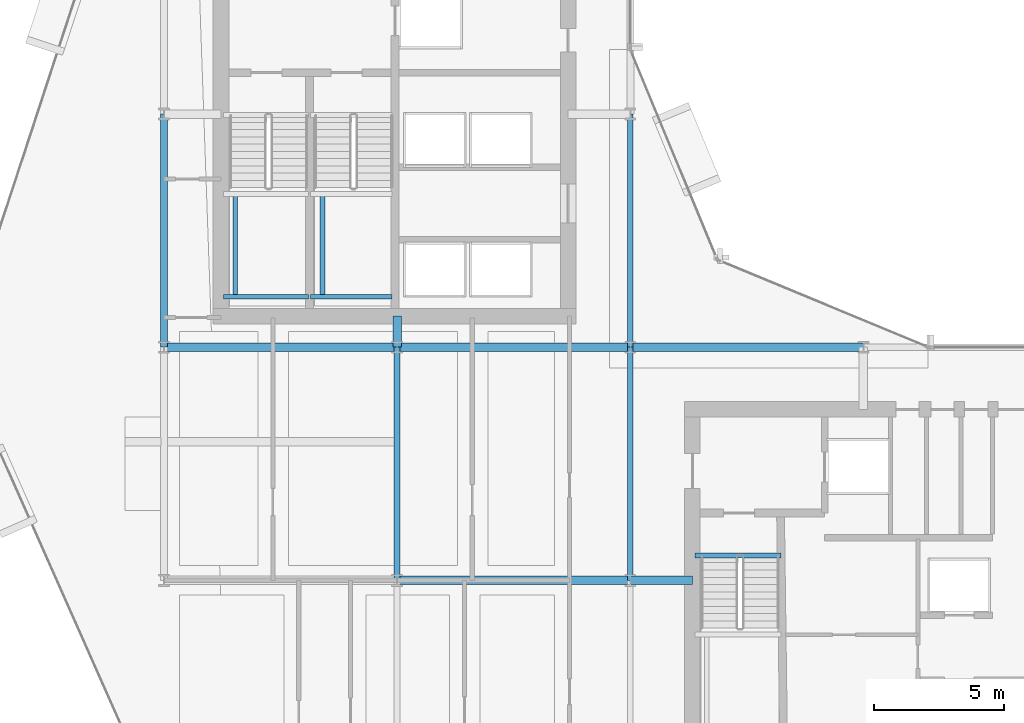
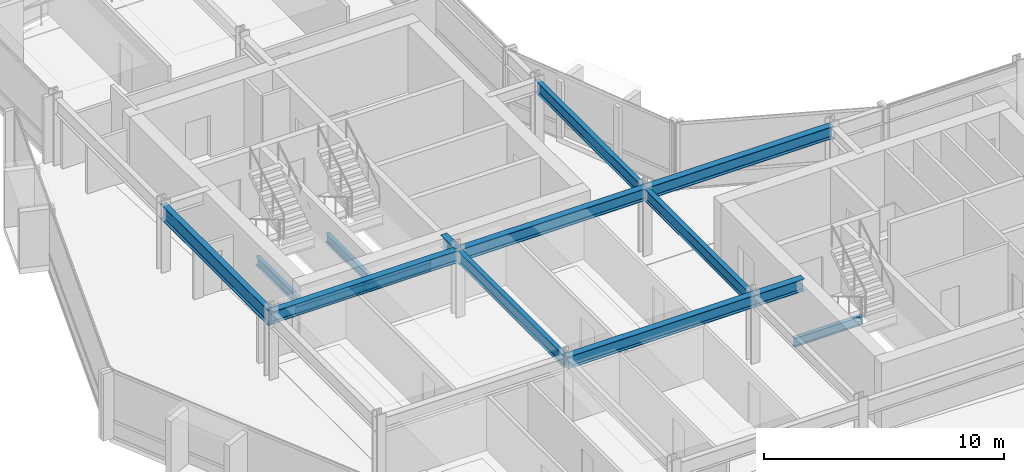
# One storey, part 7 of 29: 15 beams.
"""IFC4 building model written with IfcOpenShell, lengths in metres."""

from ifc_helpers import new_model, si_unit, direction, frame, origin, origin_2d, place, context, subcontext, project, spatial, i_section, extrude, material, material_profile, profile_set, type_object, element, save


model = new_model("IFC4")

# Units and contexts
model_context = context("Model", 3, precision=1e-05, world=origin(), true_north=direction((0.0, 1.0)))
body_context = subcontext(model_context, "Body", "Model", "MODEL_VIEW")
ifc_project = project(units=[si_unit("LENGTHUNIT", "METRE"), si_unit("AREAUNIT", "SQUARE_METRE"), si_unit("VOLUMEUNIT", "CUBIC_METRE"), si_unit("PLANEANGLEUNIT", "RADIAN"), si_unit("MASSUNIT", "GRAM", prefix="KILO")], contexts=[model_context])

# Site, building, storey
site_placement = place(None, origin())
site = spatial("IfcSite", under=ifc_project, at=site_placement, CompositionType="ELEMENT")
building_placement = place(site_placement, origin())
building = spatial("IfcBuilding", under=site, at=building_placement, Name="Solvaryn Broadcast Tower", CompositionType="ELEMENT")
storey_placement = place(building_placement, frame((0.0, 0.0, 121.10009765625)))
storey = spatial("IfcBuildingStorey", under=building, at=storey_placement, Name="L29", CompositionType="ELEMENT", Elevation=121.10009765625)

# Beams
ifc_material_1 = material(Name="Steel ASTM A992 Grade 50", Category="steel")
ifc_material_profile_1 = material_profile(ifc_material_1, i_section(OverallWidth=0.323974609375, OverallDepth=0.611083984375, WebThickness=0.0126953125, FlangeThickness=0.01904296875, FilletRadius=0.014892578125, at=origin_2d()))
ifc_profile_set_1 = profile_set([ifc_material_profile_1], Name="Steel ASTM A992 Grade 50")
beam_type_1 = type_object("IfcBeamType", Name="BM-B1-W24X104", PredefinedType="BEAM", material=ifc_profile_set_1)
for number, where, z_axis, x_axis, name in (
    (1, (18.0, 18.0, 3.114501953125), (1.0, 0.0, 0.0), (0.0, 1.0, 0.0), "L29 Primary Beam X (18-27 @ Y=18)"),
    (2, (9.0, 27.0, 3.114501953125), (1.0, 0.0, 0.0), (0.0, 1.0, 0.0), "L29 Primary Beam X (9-18 @ Y=27)"),
    (3, (18.0, 27.0, 3.114501953125), (1.0, 0.0, 0.0), (0.0, 1.0, 0.0), "L29 Primary Beam X (18-27 @ Y=27)"),
    (4, (27.0, 27.0, 3.114501953125), (1.0, 0.0, 0.0), (0.0, 1.0, 0.0), "L29 Primary Beam X (27-36 @ Y=27)"),
):
    element("IfcBeam", number, at=place(storey_placement, frame(where, z_axis=z_axis, x_axis=x_axis)), inside=storey, type_object=beam_type_1, Name=name, PredefinedType="BEAM", context=body_context, shape_type="SweptSolid", body=[
        extrude(i_section(OverallWidth=0.323974609375, OverallDepth=0.611083984375, WebThickness=0.0126953125, FlangeThickness=0.01904296875, FilletRadius=0.014892578125, at=origin_2d()), origin(), (0.0, 0.0, 1.0), 9.0),
    ])
beam_1_placement = place(storey_placement, frame((18.0, 27.0, 3.114501953125), z_axis=(0.0, 1.0, 0.0), x_axis=(-1.0, 0.0, 0.0)))
element("IfcBeam", 5, at=beam_1_placement, inside=storey, type_object=beam_type_1, Name="L29 Core Tie Beam CTW4", PredefinedType="BEAM", context=body_context, shape_type="SweptSolid", body=[
    extrude(i_section(OverallWidth=0.323974609375, OverallDepth=0.611083984375, WebThickness=0.0126953125, FlangeThickness=0.01904296875, FilletRadius=0.014892578125, at=origin_2d()), origin(), (0.0, 0.0, 1.0), 1.199951171875),
])
beam_2_placement = place(storey_placement, frame((27.0, 18.0, 3.114501953125), z_axis=(1.0, 0.0, 0.0), x_axis=(0.0, 1.0, 0.0)))
element("IfcBeam", 6, at=beam_2_placement, inside=storey, type_object=beam_type_1, Name="L29 Core Tie Beam CTE4", PredefinedType="BEAM", context=body_context, shape_type="SweptSolid", body=[
    extrude(i_section(OverallWidth=0.323974609375, OverallDepth=0.611083984375, WebThickness=0.0126953125, FlangeThickness=0.01904296875, FilletRadius=0.014892578125, at=origin_2d()), origin(), (0.0, 0.0, 1.0), 2.39990234375),
])
ifc_material_2 = material(Name="Steel ASTM A992 Grade 50", Category="steel")
ifc_material_profile_2 = material_profile(ifc_material_2, i_section(OverallWidth=0.22802734375, OverallDepth=0.60791015625, WebThickness=0.01123046875, FlangeThickness=0.017333984375, FilletRadius=0.014892578125, at=origin_2d()))
ifc_profile_set_2 = profile_set([ifc_material_profile_2], Name="Steel ASTM A992 Grade 50")
beam_type_2 = type_object("IfcBeamType", Name="BM-B2-W24X76", PredefinedType="BEAM", material=ifc_profile_set_2)
for number, where, z_axis, x_axis, name in (
    (7, (18.0, 18.0, 3.115966796875), (0.0, 1.0, 0.0), (-1.0, 0.0, 0.0), "L29 Primary Beam Y (18-27 @ X=18)"),
    (8, (27.0, 18.0, 3.115966796875), (0.0, 1.0, 0.0), (-1.0, 0.0, 0.0), "L29 Primary Beam Y (18-27 @ X=27)"),
    (9, (27.0, 27.0, 3.115966796875), (0.0, 1.0, 0.0), (-1.0, 0.0, 0.0), "L29 Primary Beam Y (27-36 @ X=27)"),
):
    element("IfcBeam", number, at=place(storey_placement, frame(where, z_axis=z_axis, x_axis=x_axis)), inside=storey, type_object=beam_type_2, Name=name, PredefinedType="BEAM", context=body_context, shape_type="SweptSolid", body=[
        extrude(i_section(OverallWidth=0.22802734375, OverallDepth=0.60791015625, WebThickness=0.01123046875, FlangeThickness=0.017333984375, FilletRadius=0.014892578125, at=origin_2d()), origin(), (0.0, 0.0, 1.0), 9.0),
    ])
ifc_material_3 = material(Name="Steel ASTM A992 Grade 50", Category="steel")
ifc_material_profile_3 = material_profile(ifc_material_3, i_section(OverallWidth=0.18994140625, OverallDepth=0.45703125, WebThickness=0.009033203125, FlangeThickness=0.014404296875, FilletRadius=0.011962890625, at=origin_2d()))
ifc_profile_set_3 = profile_set([ifc_material_profile_3], Name="Steel ASTM A992 Grade 50")
beam_type_3 = type_object("IfcBeamType", Name="BM-B4-W18X50", PredefinedType="BEAM", material=ifc_profile_set_3)
beam_3_placement = place(storey_placement, frame((11.300048828125, 28.949951171875, 1.42138671875), z_axis=(1.0, 0.0, 0.0), x_axis=(0.0, 1.0, 0.0)))
element("IfcBeam", 10, at=beam_3_placement, inside=storey, type_object=beam_type_3, Name="L29 ST1 Landing Support Beam 1A", PredefinedType="BEAM", context=body_context, shape_type="SweptSolid", body=[
    extrude(i_section(OverallWidth=0.18994140625, OverallDepth=0.45703125, WebThickness=0.009033203125, FlangeThickness=0.014404296875, FilletRadius=0.011962890625, at=origin_2d()), origin(), (0.0, 0.0, 1.0), 3.280029296875),
])
beam_4_placement = place(storey_placement, frame((11.75, 28.949951171875, 1.42138671875), z_axis=(0.0, 1.0, 0.0), x_axis=(-1.0, 0.0, 0.0)))
element("IfcBeam", 11, at=beam_4_placement, inside=storey, type_object=beam_type_3, Name="L29 ST1 Landing Cross Stringer 1C", PredefinedType="BEAM", context=body_context, shape_type="SweptSolid", body=[
    extrude(i_section(OverallWidth=0.18994140625, OverallDepth=0.45703125, WebThickness=0.009033203125, FlangeThickness=0.014404296875, FilletRadius=0.011962890625, at=origin_2d()), origin(), (0.0, 0.0, 1.0), 3.9599609375),
])
beam_5_placement = place(storey_placement, frame((14.659912109375, 28.949951171875, 1.42138671875), z_axis=(1.0, 0.0, 0.0), x_axis=(0.0, 1.0, 0.0)))
element("IfcBeam", 12, at=beam_5_placement, inside=storey, type_object=beam_type_3, Name="L29 ST2 Landing Support Beam 1A", PredefinedType="BEAM", context=body_context, shape_type="SweptSolid", body=[
    extrude(i_section(OverallWidth=0.18994140625, OverallDepth=0.45703125, WebThickness=0.009033203125, FlangeThickness=0.014404296875, FilletRadius=0.011962890625, at=origin_2d()), origin(), (0.0, 0.0, 1.0), 3.14013671875),
])
beam_6_placement = place(storey_placement, frame((15.110107421875, 28.949951171875, 1.42138671875), z_axis=(0.0, 1.0, 0.0), x_axis=(-1.0, 0.0, 0.0)))
element("IfcBeam", 13, at=beam_6_placement, inside=storey, type_object=beam_type_3, Name="L29 ST2 Landing Cross Stringer 1C", PredefinedType="BEAM", context=body_context, shape_type="SweptSolid", body=[
    extrude(i_section(OverallWidth=0.18994140625, OverallDepth=0.45703125, WebThickness=0.009033203125, FlangeThickness=0.014404296875, FilletRadius=0.011962890625, at=origin_2d()), origin(), (0.0, 0.0, 1.0), 3.9599609375),
])
beam_7_placement = place(storey_placement, frame((29.5, 18.9599609375, -0.508544921875), z_axis=(1.0, 0.0, 0.0), x_axis=(0.0, 1.0, 0.0)))
element("IfcBeam", 14, at=beam_7_placement, inside=storey, type_object=beam_type_3, Name="L29 ST3 Stair Well Trimmer Beam", PredefinedType="BEAM", context=body_context, shape_type="SweptSolid", body=[
    extrude(i_section(OverallWidth=0.18994140625, OverallDepth=0.45703125, WebThickness=0.009033203125, FlangeThickness=0.014404296875, FilletRadius=0.011962890625, at=origin_2d()), origin(), (0.0, 0.0, 1.0), 3.320068359375),
])
ifc_material_4 = material(Name="Steel ASTM A992 Grade 50", Category="steel")
ifc_material_profile_4 = material_profile(ifc_material_4, i_section(OverallWidth=0.26708984375, OverallDepth=0.76611328125, WebThickness=0.014892578125, FlangeThickness=0.023681640625, FilletRadius=0.01806640625, at=origin_2d()))
ifc_profile_set_4 = profile_set([ifc_material_profile_4], Name="Steel ASTM A992 Grade 50")
beam_type_4 = type_object("IfcBeamType", Name="BM-SP2-W30X124", PredefinedType="USERDEFINED", material=ifc_profile_set_4)
beam_8_placement = place(storey_placement, frame((9.0, 27.0, 3.036865234375), z_axis=(0.0, 1.0, 0.0), x_axis=(-1.0, 0.0, 0.0)))
element("IfcBeam", 15, at=beam_8_placement, inside=storey, type_object=beam_type_4, Name="L29 Spandrel Beam Y (27-36 @ X=9)", ObjectType="SPANDREL", PredefinedType="USERDEFINED", context=body_context, shape_type="SweptSolid", body=[
    extrude(i_section(OverallWidth=0.26708984375, OverallDepth=0.76611328125, WebThickness=0.014892578125, FlangeThickness=0.023681640625, FilletRadius=0.01806640625, at=origin_2d()), origin(), (0.0, 0.0, 1.0), 9.0),
])

save(model, "model.ifc")
